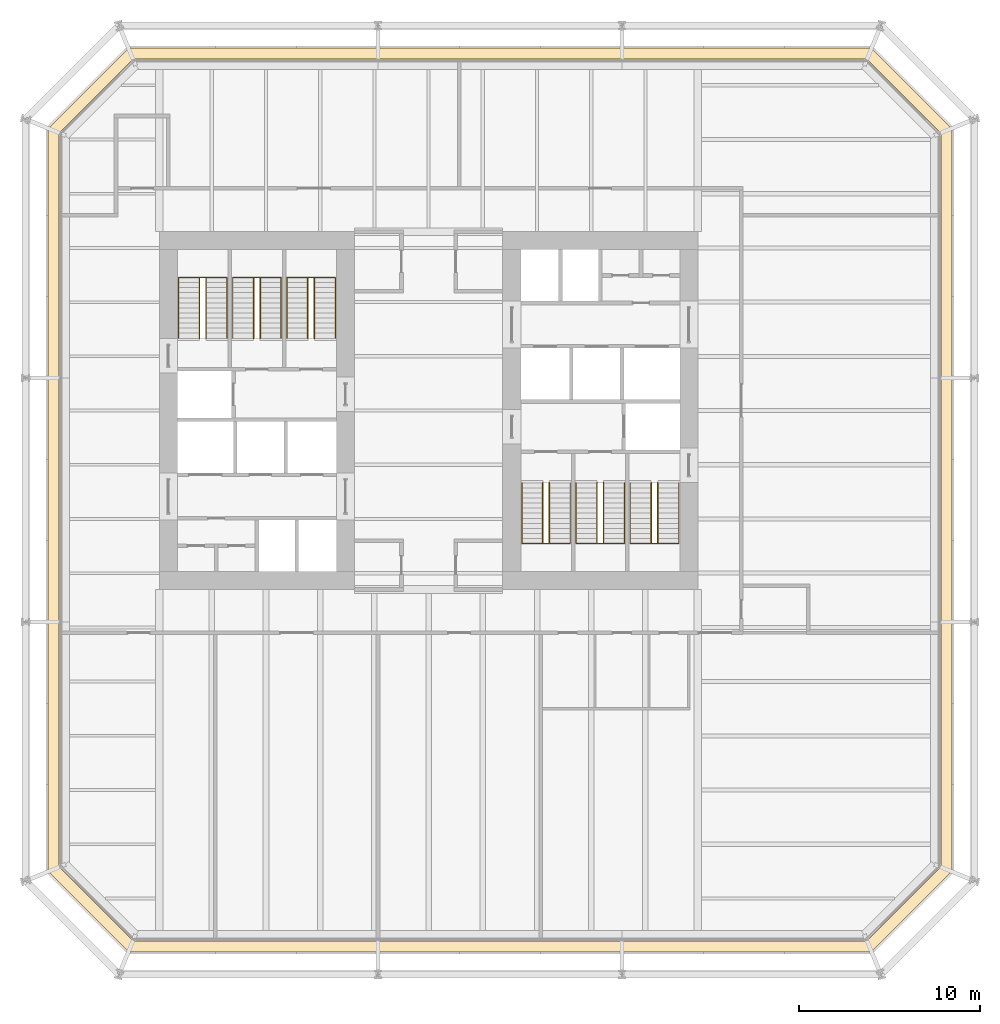
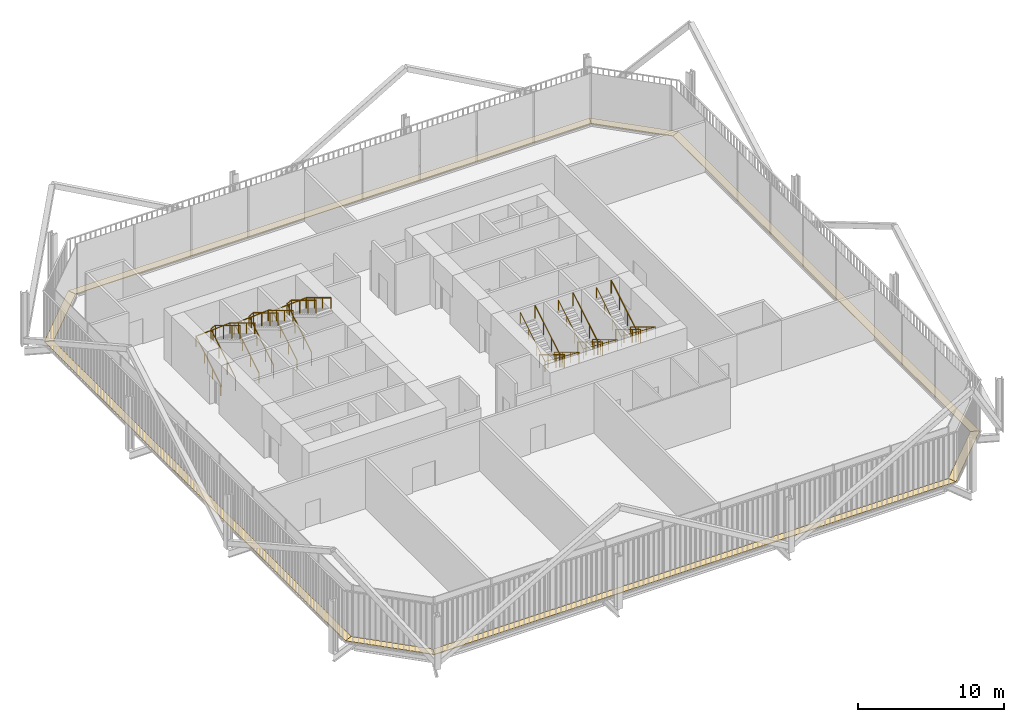
# One storey, part 21 of 21: 12 railings, 8 coverings.
"""IFC4 building model written with IfcOpenShell, lengths in metres."""

from ifc_helpers import new_model, si_unit, direction, frame, origin, origin_2d, place, context, subcontext, project, spatial, polyline, circle, outline, extrude, material, layer, layer_set, type_object, element, save


model = new_model("IFC4")

# Units and contexts
model_context = context("Model", 3, precision=1e-05, world=origin(), true_north=direction((0.0, 1.0)))
body_context = subcontext(model_context, "Body", "Model", "MODEL_VIEW")
ifc_project = project(units=[si_unit("LENGTHUNIT", "METRE"), si_unit("AREAUNIT", "SQUARE_METRE"), si_unit("VOLUMEUNIT", "CUBIC_METRE"), si_unit("PLANEANGLEUNIT", "RADIAN"), si_unit("MASSUNIT", "GRAM", prefix="KILO")], contexts=[model_context])

# Site, building, storey
site_placement = place(None, origin())
site = spatial("IfcSite", under=ifc_project, at=site_placement, CompositionType="ELEMENT")
building_placement = place(site_placement, origin())
building = spatial("IfcBuilding", under=site, at=building_placement, Name="Millrace Tower", CompositionType="ELEMENT")
storey_placement = place(building_placement, frame((0.0, 0.0, 104.0)))
storey = spatial("IfcBuildingStorey", under=building, at=storey_placement, Name="L23", CompositionType="ELEMENT", Elevation=104.0)

# Coverings
ifc_material_1 = material(Name="Steel ASTM A36", Category="steel")
ifc_layer = layer(ifc_material_1, 0.050048828125)
ifc_layer_set = layer_set([ifc_layer], Name="Steel ASTM A36")
covering_type = type_object("IfcCoveringType", Name="CAVITY CATWALK steel grating", PredefinedType="FLOORING", material=ifc_layer_set)
placement = place(storey_placement, frame((0.0, 0.0, 0.10009765625)))
element("IfcCovering", 1, at=placement, inside=storey, type_object=covering_type, Name="Cavity catwalk grating B-F01 L23 1", PredefinedType="FLOORING", context=body_context, shape_type="SweptSolid", body=[
    extrude(outline(polyline([(-21.050048828125, -25.5107421875), (-16.610595703125, -29.949951171875), (-16.362060546875, -29.35009765625), (-20.449951171875, -25.26220703125), (-21.050048828125, -25.5107421875)])), origin(), (0.0, 0.0, 1.0), 0.0498046875),
])
element("IfcCovering", 2, at=placement, inside=storey, type_object=covering_type, Name="Cavity catwalk grating B-F02 L23 1", PredefinedType="FLOORING", context=body_context, shape_type="SweptSolid", body=[
    extrude(outline(polyline([(-16.610595703125, -29.949951171875), (24.5107421875, -29.949951171875), (24.26220703125, -29.35009765625), (-16.362060546875, -29.35009765625), (-16.610595703125, -29.949951171875)])), origin(), (0.0, 0.0, 1.0), 0.0498046875),
])
element("IfcCovering", 3, at=placement, inside=storey, type_object=covering_type, Name="Cavity catwalk grating B-F03 L23 1", PredefinedType="FLOORING", context=body_context, shape_type="SweptSolid", body=[
    extrude(outline(polyline([(24.5107421875, -29.949951171875), (28.949951171875, -25.5107421875), (28.35009765625, -25.26220703125), (24.26220703125, -29.35009765625), (24.5107421875, -29.949951171875)])), origin(), (0.0, 0.0, 1.0), 0.0498046875),
])
element("IfcCovering", 4, at=placement, inside=storey, type_object=covering_type, Name="Cavity catwalk grating B-F04 L23 1", PredefinedType="FLOORING", context=body_context, shape_type="SweptSolid", body=[
    extrude(outline(polyline([(28.949951171875, -25.5107421875), (28.949951171875, 15.610595703125), (28.35009765625, 15.362060546875), (28.35009765625, -25.26220703125), (28.949951171875, -25.5107421875)])), origin(), (0.0, 0.0, 1.0), 0.0498046875),
])
element("IfcCovering", 5, at=placement, inside=storey, type_object=covering_type, Name="Cavity catwalk grating B-F05 L23 1", PredefinedType="FLOORING", context=body_context, shape_type="SweptSolid", body=[
    extrude(outline(polyline([(28.949951171875, 15.610595703125), (24.5107421875, 20.050048828125), (24.26220703125, 19.449951171875), (28.35009765625, 15.362060546875), (28.949951171875, 15.610595703125)])), origin(), (0.0, 0.0, 1.0), 0.0498046875),
])
element("IfcCovering", 6, at=placement, inside=storey, type_object=covering_type, Name="Cavity catwalk grating B-F06 L23 1", PredefinedType="FLOORING", context=body_context, shape_type="SweptSolid", body=[
    extrude(outline(polyline([(24.5107421875, 20.050048828125), (-16.610595703125, 20.050048828125), (-16.362060546875, 19.449951171875), (24.26220703125, 19.449951171875), (24.5107421875, 20.050048828125)])), origin(), (0.0, 0.0, 1.0), 0.0498046875),
])
element("IfcCovering", 7, at=placement, inside=storey, type_object=covering_type, Name="Cavity catwalk grating B-F07 L23 1", PredefinedType="FLOORING", context=body_context, shape_type="SweptSolid", body=[
    extrude(outline(polyline([(-16.610595703125, 20.050048828125), (-21.050048828125, 15.610595703125), (-20.449951171875, 15.362060546875), (-16.362060546875, 19.449951171875), (-16.610595703125, 20.050048828125)])), origin(), (0.0, 0.0, 1.0), 0.0498046875),
])
element("IfcCovering", 8, at=placement, inside=storey, type_object=covering_type, Name="Cavity catwalk grating B-F08 L23 1", PredefinedType="FLOORING", context=body_context, shape_type="SweptSolid", body=[
    extrude(outline(polyline([(-21.050048828125, 15.610595703125), (-21.050048828125, -25.5107421875), (-20.449951171875, -25.26220703125), (-20.449951171875, 15.362060546875), (-21.050048828125, 15.610595703125)])), origin(), (0.0, 0.0, 1.0), 0.0498046875),
])

# Railings
ifc_material_2 = material(Name="Stainless steel ASTM A240 type 316", Category="steel")
railing_type_1 = type_object("IfcRailingType", Name="Stair guard 1100", PredefinedType="GUARDRAIL", material=ifc_material_2)
for number, where, name in (
    (9, (-12.679931640625, 4.0, 0.169189453125), "Stair guard 1 W L23"),
    (10, (-9.679931640625, 4.0, 0.169189453125), "Stair guard 2 W L23"),
    (11, (-6.679931640625, 4.0, 0.169189453125), "Stair guard 3 W L23"),
):
    element("IfcRailing", number, at=place(storey_placement, frame(where)), inside=storey, type_object=railing_type_1, Name=name, PredefinedType="GUARDRAIL", context=body_context, shape_type="SweptSolid", body=[
        extrude(circle(Radius=0.02392578125, at=origin_2d()), frame((0.0, 0.0, 1.076171875), z_axis=(0.0, 0.855836976705, 0.517245656632), x_axis=(-1.0, 0.0, 0.0)), (0.0, 0.0, 1.0), 3.926025390625),
        extrude(circle(Radius=0.02392578125, at=origin_2d()), frame((0.0, 3.360107421875, 3.10693359375), z_axis=(0.904971698027, 0.0, 0.425471768475), x_axis=(0.0, 1.0, 0.0)), (0.0, 0.0, 1.0), 0.397705078125),
        extrude(circle(Radius=0.02392578125, at=origin_2d()), frame((0.35986328125, 3.360107421875, 3.27587890625), z_axis=(0.0, -0.855836976705, 0.517245656632), x_axis=(1.0, 0.0, 0.0)), (0.0, 0.0, 1.0), 3.926025390625),
        extrude(circle(Radius=0.02099609375, at=origin_2d()), origin(), (0.0, 0.0, 1.0), 1.052001953125),
        extrude(circle(Radius=0.02099609375, at=origin_2d()), frame((0.0, 1.1201171875, 0.677001953125)), (0.0, 0.0, 1.0), 1.052001953125),
        extrude(circle(Radius=0.02099609375, at=origin_2d()), frame((0.0, 2.239990234375, 1.353759765625)), (0.0, 0.0, 1.0), 1.052001953125),
        extrude(circle(Radius=0.02099609375, at=origin_2d()), frame((0.0, 3.360107421875, 2.03076171875)), (0.0, 0.0, 1.0), 1.052001953125),
        extrude(circle(Radius=0.02099609375, at=origin_2d()), frame((0.35986328125, 3.360107421875, 2.199951171875)), (0.0, 0.0, 1.0), 1.052001953125),
        extrude(circle(Radius=0.02099609375, at=origin_2d()), frame((0.35986328125, 2.239990234375, 2.876953125)), (0.0, 0.0, 1.0), 1.052001953125),
        extrude(circle(Radius=0.02099609375, at=origin_2d()), frame((0.35986328125, 1.1201171875, 3.5537109375)), (0.0, 0.0, 1.0), 1.052001953125),
        extrude(circle(Radius=0.02099609375, at=origin_2d()), frame((0.35986328125, 0.0, 4.230712890625)), (0.0, 0.0, 1.0), 1.052001953125),
    ])
for number, where, name in (
    (12, (12.679931640625, -4.0, 0.169189453125), "Stair guard 1 E L23"),
    (13, (9.679931640625, -4.0, 0.169189453125), "Stair guard 2 E L23"),
    (14, (6.679931640625, -4.0, 0.169189453125), "Stair guard 3 E L23"),
):
    element("IfcRailing", number, at=place(storey_placement, frame(where)), inside=storey, type_object=railing_type_1, Name=name, PredefinedType="GUARDRAIL", context=body_context, shape_type="SweptSolid", body=[
        extrude(circle(Radius=0.02392578125, at=origin_2d()), frame((0.0, 0.0, 1.076171875), z_axis=(0.0, -0.855836976705, 0.517245656632), x_axis=(1.0, 0.0, 0.0)), (0.0, 0.0, 1.0), 3.926025390625),
        extrude(circle(Radius=0.02392578125, at=origin_2d()), frame((0.0, -3.360107421875, 3.10693359375), z_axis=(-0.904971698027, 0.0, 0.425471768475), x_axis=(0.0, -1.0, 0.0)), (0.0, 0.0, 1.0), 0.397705078125),
        extrude(circle(Radius=0.02392578125, at=origin_2d()), frame((-0.35986328125, -3.360107421875, 3.27587890625), z_axis=(0.0, 0.855836976705, 0.517245656632), x_axis=(-1.0, 0.0, 0.0)), (0.0, 0.0, 1.0), 3.926025390625),
        extrude(circle(Radius=0.02099609375, at=origin_2d()), origin(), (0.0, 0.0, 1.0), 1.052001953125),
        extrude(circle(Radius=0.02099609375, at=origin_2d()), frame((0.0, -1.1201171875, 0.677001953125)), (0.0, 0.0, 1.0), 1.052001953125),
        extrude(circle(Radius=0.02099609375, at=origin_2d()), frame((0.0, -2.239990234375, 1.353759765625)), (0.0, 0.0, 1.0), 1.052001953125),
        extrude(circle(Radius=0.02099609375, at=origin_2d()), frame((0.0, -3.360107421875, 2.03076171875)), (0.0, 0.0, 1.0), 1.052001953125),
        extrude(circle(Radius=0.02099609375, at=origin_2d()), frame((-0.35986328125, -3.360107421875, 2.199951171875)), (0.0, 0.0, 1.0), 1.052001953125),
        extrude(circle(Radius=0.02099609375, at=origin_2d()), frame((-0.35986328125, -2.239990234375, 2.876953125)), (0.0, 0.0, 1.0), 1.052001953125),
        extrude(circle(Radius=0.02099609375, at=origin_2d()), frame((-0.35986328125, -1.1201171875, 3.5537109375)), (0.0, 0.0, 1.0), 1.052001953125),
        extrude(circle(Radius=0.02099609375, at=origin_2d()), frame((-0.35986328125, 0.0, 4.230712890625)), (0.0, 0.0, 1.0), 1.052001953125),
    ])
ifc_material_3 = material(Name="Stainless steel ASTM A240 type 316", Category="steel")
railing_type_2 = type_object("IfcRailingType", Name="Stair handrail 900", PredefinedType="HANDRAIL", material=ifc_material_3)
railing_1_placement = place(storey_placement, frame((-13.840087890625, 4.0, 0.169189453125)))
element("IfcRailing", 15, at=railing_1_placement, inside=storey, type_object=railing_type_2, Name="Stair handrail 1 W L23", PredefinedType="HANDRAIL", context=body_context, shape_type="SweptSolid", body=[
    extrude(circle(Radius=0.02392578125, at=origin_2d()), frame((0.0, 0.0, 0.8759765625), z_axis=(0.0, 0.855836976705, 0.517245656632), x_axis=(-1.0, 0.0, 0.0)), (0.0, 0.0, 1.0), 3.926025390625),
    extrude(circle(Radius=0.02392578125, at=origin_2d()), frame((0.0, 3.360107421875, 2.90673828125), z_axis=(0.998013473273, 0.0, 0.063000850517), x_axis=(0.0, 1.0, 0.0)), (0.0, 0.0, 1.0), 2.685546875),
    extrude(circle(Radius=0.02392578125, at=origin_2d()), frame((2.68017578125, 3.360107421875, 3.07568359375), z_axis=(0.0, -0.855836976705, 0.517245656632), x_axis=(1.0, 0.0, 0.0)), (0.0, 0.0, 1.0), 3.926025390625),
    extrude(circle(Radius=0.02099609375, at=origin_2d()), origin(), (0.0, 0.0, 1.0), 0.851806640625),
    extrude(circle(Radius=0.02099609375, at=origin_2d()), frame((0.0, 1.1201171875, 0.677001953125)), (0.0, 0.0, 1.0), 0.851806640625),
    extrude(circle(Radius=0.02099609375, at=origin_2d()), frame((0.0, 2.239990234375, 1.353759765625)), (0.0, 0.0, 1.0), 0.851806640625),
    extrude(circle(Radius=0.02099609375, at=origin_2d()), frame((0.0, 3.360107421875, 2.03076171875)), (0.0, 0.0, 1.0), 0.851806640625),
    extrude(circle(Radius=0.02099609375, at=origin_2d()), frame((1.340087890625, 3.360107421875, 2.115234375)), (0.0, 0.0, 1.0), 0.851806640625),
    extrude(circle(Radius=0.02099609375, at=origin_2d()), frame((2.68017578125, 3.360107421875, 2.199951171875)), (0.0, 0.0, 1.0), 0.851806640625),
    extrude(circle(Radius=0.02099609375, at=origin_2d()), frame((2.68017578125, 2.239990234375, 2.876953125)), (0.0, 0.0, 1.0), 0.851806640625),
    extrude(circle(Radius=0.02099609375, at=origin_2d()), frame((2.68017578125, 1.1201171875, 3.5537109375)), (0.0, 0.0, 1.0), 0.851806640625),
    extrude(circle(Radius=0.02099609375, at=origin_2d()), frame((2.68017578125, 0.0, 4.230712890625)), (0.0, 0.0, 1.0), 0.851806640625),
])
railing_2_placement = place(storey_placement, frame((-10.840087890625, 4.0, 0.169189453125)))
element("IfcRailing", 16, at=railing_2_placement, inside=storey, type_object=railing_type_2, Name="Stair handrail 2 W L23", PredefinedType="HANDRAIL", context=body_context, shape_type="SweptSolid", body=[
    extrude(circle(Radius=0.02392578125, at=origin_2d()), frame((0.0, 0.0, 0.8759765625), z_axis=(0.0, 0.855836976705, 0.517245656632), x_axis=(-1.0, 0.0, 0.0)), (0.0, 0.0, 1.0), 3.926025390625),
    extrude(circle(Radius=0.02392578125, at=origin_2d()), frame((0.0, 3.360107421875, 2.90673828125), z_axis=(0.998013473273, 0.0, 0.063000850517), x_axis=(0.0, 1.0, 0.0)), (0.0, 0.0, 1.0), 2.685546875),
    extrude(circle(Radius=0.02392578125, at=origin_2d()), frame((2.68017578125, 3.360107421875, 3.07568359375), z_axis=(0.0, -0.855836976705, 0.517245656632), x_axis=(1.0, 0.0, 0.0)), (0.0, 0.0, 1.0), 3.926025390625),
    extrude(circle(Radius=0.02099609375, at=origin_2d()), origin(), (0.0, 0.0, 1.0), 0.851806640625),
    extrude(circle(Radius=0.02099609375, at=origin_2d()), frame((0.0, 1.1201171875, 0.677001953125)), (0.0, 0.0, 1.0), 0.851806640625),
    extrude(circle(Radius=0.02099609375, at=origin_2d()), frame((0.0, 2.239990234375, 1.353759765625)), (0.0, 0.0, 1.0), 0.851806640625),
    extrude(circle(Radius=0.02099609375, at=origin_2d()), frame((0.0, 3.360107421875, 2.03076171875)), (0.0, 0.0, 1.0), 0.851806640625),
    extrude(circle(Radius=0.02099609375, at=origin_2d()), frame((1.340087890625, 3.360107421875, 2.115234375)), (0.0, 0.0, 1.0), 0.851806640625),
    extrude(circle(Radius=0.02099609375, at=origin_2d()), frame((2.68017578125, 3.360107421875, 2.199951171875)), (0.0, 0.0, 1.0), 0.851806640625),
    extrude(circle(Radius=0.02099609375, at=origin_2d()), frame((2.68017578125, 2.239990234375, 2.876953125)), (0.0, 0.0, 1.0), 0.851806640625),
    extrude(circle(Radius=0.02099609375, at=origin_2d()), frame((2.68017578125, 1.1201171875, 3.5537109375)), (0.0, 0.0, 1.0), 0.851806640625),
    extrude(circle(Radius=0.02099609375, at=origin_2d()), frame((2.68017578125, 0.0, 4.230712890625)), (0.0, 0.0, 1.0), 0.851806640625),
])
railing_3_placement = place(storey_placement, frame((-7.840087890625, 4.0, 0.169189453125)))
element("IfcRailing", 17, at=railing_3_placement, inside=storey, type_object=railing_type_2, Name="Stair handrail 3 W L23", PredefinedType="HANDRAIL", context=body_context, shape_type="SweptSolid", body=[
    extrude(circle(Radius=0.02392578125, at=origin_2d()), frame((0.0, 0.0, 0.8759765625), z_axis=(0.0, 0.855836976705, 0.517245656632), x_axis=(-1.0, 0.0, 0.0)), (0.0, 0.0, 1.0), 3.926025390625),
    extrude(circle(Radius=0.02392578125, at=origin_2d()), frame((0.0, 3.360107421875, 2.90673828125), z_axis=(0.998013473273, 0.0, 0.063000850517), x_axis=(0.0, 1.0, 0.0)), (0.0, 0.0, 1.0), 2.685546875),
    extrude(circle(Radius=0.02392578125, at=origin_2d()), frame((2.68017578125, 3.360107421875, 3.07568359375), z_axis=(0.0, -0.855836976705, 0.517245656632), x_axis=(1.0, 0.0, 0.0)), (0.0, 0.0, 1.0), 3.926025390625),
    extrude(circle(Radius=0.02099609375, at=origin_2d()), origin(), (0.0, 0.0, 1.0), 0.851806640625),
    extrude(circle(Radius=0.02099609375, at=origin_2d()), frame((0.0, 1.1201171875, 0.677001953125)), (0.0, 0.0, 1.0), 0.851806640625),
    extrude(circle(Radius=0.02099609375, at=origin_2d()), frame((0.0, 2.239990234375, 1.353759765625)), (0.0, 0.0, 1.0), 0.851806640625),
    extrude(circle(Radius=0.02099609375, at=origin_2d()), frame((0.0, 3.360107421875, 2.03076171875)), (0.0, 0.0, 1.0), 0.851806640625),
    extrude(circle(Radius=0.02099609375, at=origin_2d()), frame((1.340087890625, 3.360107421875, 2.115234375)), (0.0, 0.0, 1.0), 0.851806640625),
    extrude(circle(Radius=0.02099609375, at=origin_2d()), frame((2.68017578125, 3.360107421875, 2.199951171875)), (0.0, 0.0, 1.0), 0.851806640625),
    extrude(circle(Radius=0.02099609375, at=origin_2d()), frame((2.68017578125, 2.239990234375, 2.876953125)), (0.0, 0.0, 1.0), 0.851806640625),
    extrude(circle(Radius=0.02099609375, at=origin_2d()), frame((2.68017578125, 1.1201171875, 3.5537109375)), (0.0, 0.0, 1.0), 0.851806640625),
    extrude(circle(Radius=0.02099609375, at=origin_2d()), frame((2.68017578125, 0.0, 4.230712890625)), (0.0, 0.0, 1.0), 0.851806640625),
])
railing_4_placement = place(storey_placement, frame((13.840087890625, -4.0, 0.169189453125)))
element("IfcRailing", 18, at=railing_4_placement, inside=storey, type_object=railing_type_2, Name="Stair handrail 1 E L23", PredefinedType="HANDRAIL", context=body_context, shape_type="SweptSolid", body=[
    extrude(circle(Radius=0.02392578125, at=origin_2d()), frame((0.0, 0.0, 0.8759765625), z_axis=(0.0, -0.855836976705, 0.517245656632), x_axis=(1.0, 0.0, 0.0)), (0.0, 0.0, 1.0), 3.926025390625),
    extrude(circle(Radius=0.02392578125, at=origin_2d()), frame((0.0, -3.360107421875, 2.90673828125), z_axis=(-0.998013473273, 0.0, 0.063000850517), x_axis=(0.0, -1.0, 0.0)), (0.0, 0.0, 1.0), 2.685546875),
    extrude(circle(Radius=0.02392578125, at=origin_2d()), frame((-2.68017578125, -3.360107421875, 3.07568359375), z_axis=(0.0, 0.855836976705, 0.517245656632), x_axis=(-1.0, 0.0, 0.0)), (0.0, 0.0, 1.0), 3.926025390625),
    extrude(circle(Radius=0.02099609375, at=origin_2d()), origin(), (0.0, 0.0, 1.0), 0.851806640625),
    extrude(circle(Radius=0.02099609375, at=origin_2d()), frame((0.0, -1.1201171875, 0.677001953125)), (0.0, 0.0, 1.0), 0.851806640625),
    extrude(circle(Radius=0.02099609375, at=origin_2d()), frame((0.0, -2.239990234375, 1.353759765625)), (0.0, 0.0, 1.0), 0.851806640625),
    extrude(circle(Radius=0.02099609375, at=origin_2d()), frame((0.0, -3.360107421875, 2.03076171875)), (0.0, 0.0, 1.0), 0.851806640625),
    extrude(circle(Radius=0.02099609375, at=origin_2d()), frame((-1.340087890625, -3.360107421875, 2.115234375)), (0.0, 0.0, 1.0), 0.851806640625),
    extrude(circle(Radius=0.02099609375, at=origin_2d()), frame((-2.68017578125, -3.360107421875, 2.199951171875)), (0.0, 0.0, 1.0), 0.851806640625),
    extrude(circle(Radius=0.02099609375, at=origin_2d()), frame((-2.68017578125, -2.239990234375, 2.876953125)), (0.0, 0.0, 1.0), 0.851806640625),
    extrude(circle(Radius=0.02099609375, at=origin_2d()), frame((-2.68017578125, -1.1201171875, 3.5537109375)), (0.0, 0.0, 1.0), 0.851806640625),
    extrude(circle(Radius=0.02099609375, at=origin_2d()), frame((-2.68017578125, 0.0, 4.230712890625)), (0.0, 0.0, 1.0), 0.851806640625),
])
railing_5_placement = place(storey_placement, frame((10.840087890625, -4.0, 0.169189453125)))
element("IfcRailing", 19, at=railing_5_placement, inside=storey, type_object=railing_type_2, Name="Stair handrail 2 E L23", PredefinedType="HANDRAIL", context=body_context, shape_type="SweptSolid", body=[
    extrude(circle(Radius=0.02392578125, at=origin_2d()), frame((0.0, 0.0, 0.8759765625), z_axis=(0.0, -0.855836976705, 0.517245656632), x_axis=(1.0, 0.0, 0.0)), (0.0, 0.0, 1.0), 3.926025390625),
    extrude(circle(Radius=0.02392578125, at=origin_2d()), frame((0.0, -3.360107421875, 2.90673828125), z_axis=(-0.998013473273, 0.0, 0.063000850517), x_axis=(0.0, -1.0, 0.0)), (0.0, 0.0, 1.0), 2.685546875),
    extrude(circle(Radius=0.02392578125, at=origin_2d()), frame((-2.68017578125, -3.360107421875, 3.07568359375), z_axis=(0.0, 0.855836976705, 0.517245656632), x_axis=(-1.0, 0.0, 0.0)), (0.0, 0.0, 1.0), 3.926025390625),
    extrude(circle(Radius=0.02099609375, at=origin_2d()), origin(), (0.0, 0.0, 1.0), 0.851806640625),
    extrude(circle(Radius=0.02099609375, at=origin_2d()), frame((0.0, -1.1201171875, 0.677001953125)), (0.0, 0.0, 1.0), 0.851806640625),
    extrude(circle(Radius=0.02099609375, at=origin_2d()), frame((0.0, -2.239990234375, 1.353759765625)), (0.0, 0.0, 1.0), 0.851806640625),
    extrude(circle(Radius=0.02099609375, at=origin_2d()), frame((0.0, -3.360107421875, 2.03076171875)), (0.0, 0.0, 1.0), 0.851806640625),
    extrude(circle(Radius=0.02099609375, at=origin_2d()), frame((-1.340087890625, -3.360107421875, 2.115234375)), (0.0, 0.0, 1.0), 0.851806640625),
    extrude(circle(Radius=0.02099609375, at=origin_2d()), frame((-2.68017578125, -3.360107421875, 2.199951171875)), (0.0, 0.0, 1.0), 0.851806640625),
    extrude(circle(Radius=0.02099609375, at=origin_2d()), frame((-2.68017578125, -2.239990234375, 2.876953125)), (0.0, 0.0, 1.0), 0.851806640625),
    extrude(circle(Radius=0.02099609375, at=origin_2d()), frame((-2.68017578125, -1.1201171875, 3.5537109375)), (0.0, 0.0, 1.0), 0.851806640625),
    extrude(circle(Radius=0.02099609375, at=origin_2d()), frame((-2.68017578125, 0.0, 4.230712890625)), (0.0, 0.0, 1.0), 0.851806640625),
])
railing_6_placement = place(storey_placement, frame((7.840087890625, -4.0, 0.169189453125)))
element("IfcRailing", 20, at=railing_6_placement, inside=storey, type_object=railing_type_2, Name="Stair handrail 3 E L23", PredefinedType="HANDRAIL", context=body_context, shape_type="SweptSolid", body=[
    extrude(circle(Radius=0.02392578125, at=origin_2d()), frame((0.0, 0.0, 0.8759765625), z_axis=(0.0, -0.855836976705, 0.517245656632), x_axis=(1.0, 0.0, 0.0)), (0.0, 0.0, 1.0), 3.926025390625),
    extrude(circle(Radius=0.02392578125, at=origin_2d()), frame((0.0, -3.360107421875, 2.90673828125), z_axis=(-0.998013473273, 0.0, 0.063000850517), x_axis=(0.0, -1.0, 0.0)), (0.0, 0.0, 1.0), 2.685546875),
    extrude(circle(Radius=0.02392578125, at=origin_2d()), frame((-2.68017578125, -3.360107421875, 3.07568359375), z_axis=(0.0, 0.855836976705, 0.517245656632), x_axis=(-1.0, 0.0, 0.0)), (0.0, 0.0, 1.0), 3.926025390625),
    extrude(circle(Radius=0.02099609375, at=origin_2d()), origin(), (0.0, 0.0, 1.0), 0.851806640625),
    extrude(circle(Radius=0.02099609375, at=origin_2d()), frame((0.0, -1.1201171875, 0.677001953125)), (0.0, 0.0, 1.0), 0.851806640625),
    extrude(circle(Radius=0.02099609375, at=origin_2d()), frame((0.0, -2.239990234375, 1.353759765625)), (0.0, 0.0, 1.0), 0.851806640625),
    extrude(circle(Radius=0.02099609375, at=origin_2d()), frame((0.0, -3.360107421875, 2.03076171875)), (0.0, 0.0, 1.0), 0.851806640625),
    extrude(circle(Radius=0.02099609375, at=origin_2d()), frame((-1.340087890625, -3.360107421875, 2.115234375)), (0.0, 0.0, 1.0), 0.851806640625),
    extrude(circle(Radius=0.02099609375, at=origin_2d()), frame((-2.68017578125, -3.360107421875, 2.199951171875)), (0.0, 0.0, 1.0), 0.851806640625),
    extrude(circle(Radius=0.02099609375, at=origin_2d()), frame((-2.68017578125, -2.239990234375, 2.876953125)), (0.0, 0.0, 1.0), 0.851806640625),
    extrude(circle(Radius=0.02099609375, at=origin_2d()), frame((-2.68017578125, -1.1201171875, 3.5537109375)), (0.0, 0.0, 1.0), 0.851806640625),
    extrude(circle(Radius=0.02099609375, at=origin_2d()), frame((-2.68017578125, 0.0, 4.230712890625)), (0.0, 0.0, 1.0), 0.851806640625),
])

save(model, "model.ifc")
